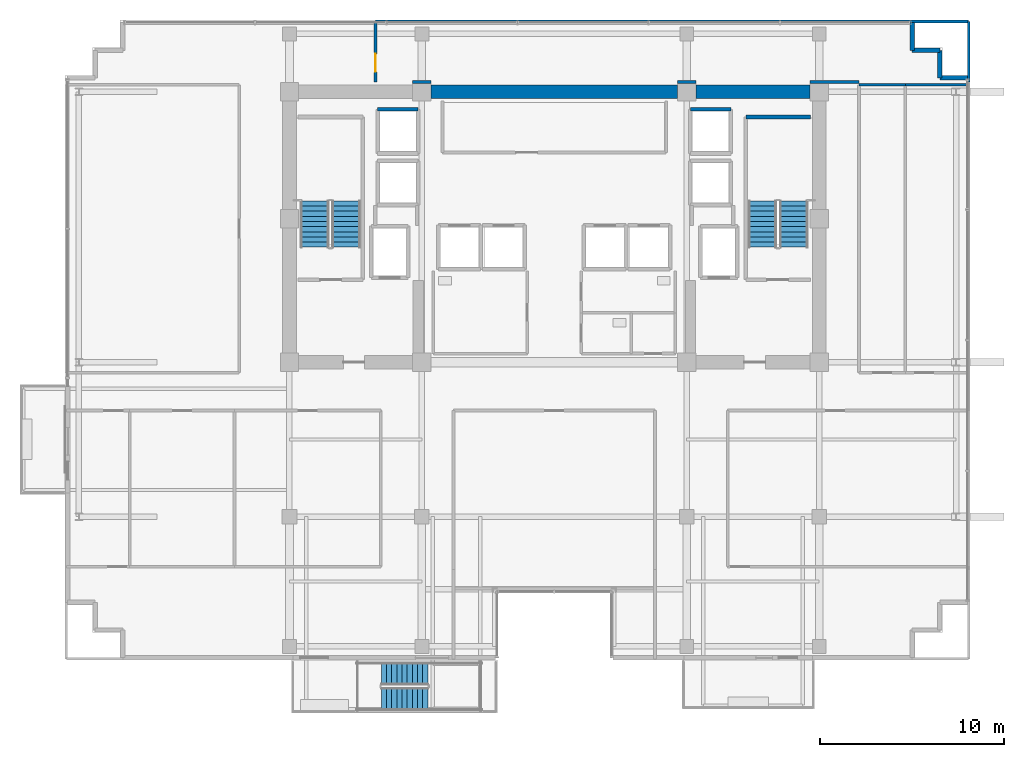
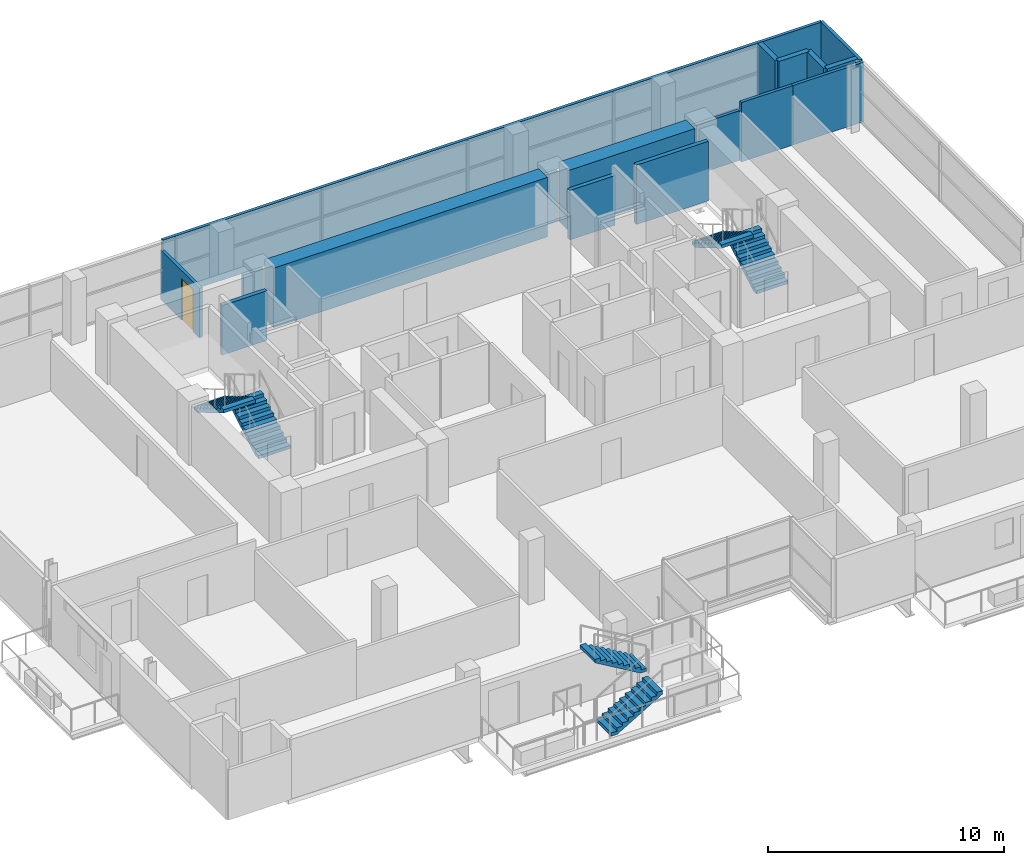
# One storey, part 19 of 23: 17 walls, 6 stair flights, 1 door, 1 opening, 3 elements without a shape of their own.
"""IFC4 building model written with IfcOpenShell, lengths in metres."""

from ifc_helpers import new_model, si_unit, direction, frame, frame_2d, origin, place, context, subcontext, project, spatial, polyline, rectangle, outline, extrude, source, transform, mapped, material, layer, layer_set, type_object, element, fill, aggregate, save


model = new_model("IFC4")

# Units and contexts
model_context = context("Model", 3, precision=1e-05, world=origin(), true_north=direction((0.0, 1.0)))
body_context = subcontext(model_context, "Body", "Model", "MODEL_VIEW")
ifc_project = project(units=[si_unit("LENGTHUNIT", "METRE"), si_unit("AREAUNIT", "SQUARE_METRE"), si_unit("VOLUMEUNIT", "CUBIC_METRE"), si_unit("PLANEANGLEUNIT", "RADIAN"), si_unit("MASSUNIT", "GRAM", prefix="KILO")], contexts=[model_context])

# Site, building, storey
site_placement = place(None, origin())
site = spatial("IfcSite", under=ifc_project, at=site_placement, CompositionType="ELEMENT")
building_placement = place(site_placement, origin())
building = spatial("IfcBuilding", under=site, at=building_placement, Name="Zarnakvel Exchange Tower", CompositionType="ELEMENT")
storey_placement = place(building_placement, frame((0.0, 0.0, 146.199951171875)))
storey = spatial("IfcBuildingStorey", under=building, at=storey_placement, Name="L40", CompositionType="ELEMENT", Elevation=146.199951171875)

# Walls
ifc_material_1 = material(Name="Concrete C60/75", Category="concrete")
ifc_layer_1 = layer(ifc_material_1, 0.75)
ifc_layer_set_1 = layer_set([ifc_layer_1], Name="Concrete C60/75")
wall_type_1 = type_object("IfcWallType", Name="CW-C3", PredefinedType="SHEAR", material=ifc_layer_set_1)
wall_1_placement = place(storey_placement, frame((-6.699951171875, 13.5, 0.0), z_axis=(0.0, 0.0, 1.0), x_axis=(1.0, 0.0, 0.0)))
element("IfcWall", 1, at=wall_1_placement, inside=storey, type_object=wall_type_1, Name="L40 Rear Core Shear Wall N2 (CW-C3)", PredefinedType="SHEAR", context=body_context, shape_type="SweptSolid", body=[
    extrude(rectangle(XDim=13.39990234375, YDim=0.75, at=frame_2d((6.699951171875, 0.0))), origin(), (0.0, 0.0, 1.0), 3.074951171875),
])
wall_2_placement = place(storey_placement, frame((7.699951171875, 13.5, 0.0), z_axis=(0.0, 0.0, 1.0), x_axis=(1.0, 0.0, 0.0)))
element("IfcWall", 2, at=wall_2_placement, inside=storey, type_object=wall_type_1, Name="L40 Rear Core Shear Wall N3 (CW-C3)", PredefinedType="SHEAR", context=body_context, shape_type="SweptSolid", body=[
    extrude(rectangle(XDim=6.199951171875, YDim=0.75, at=frame_2d((3.10009765625, 0.0))), origin(), (0.0, 0.0, 1.0), 3.074951171875),
])
ifc_material_2 = material(Name="Precast concrete C40/50", Category="concrete")
ifc_layer_2 = layer(ifc_material_2, 0.239990234375)
ifc_layer_set_2 = layer_set([ifc_layer_2], Name="Precast concrete C40/50")
wall_type_2 = type_object("IfcWallType", Name="EW-02", PredefinedType="SOLIDWALL", material=ifc_layer_set_2)
for number, where, z_axis, x_axis, name in (
    (3, (19.4599609375, 15.760009765625, 0.0), (0.0, 0.0, 1.0), (0.0, 1.0, 0.0), "L40 Exterior Precast Spandrel Wall EWC-L40-07 (EW-02)"),
    (4, (20.9599609375, 15.760009765625, 0.0), (0.0, 0.0, 1.0), (-1.0, 0.0, 0.0), "L40 Exterior Precast Spandrel Wall EWC-L40-08 (EW-02)"),
    (5, (20.9599609375, 14.260009765625, 0.0), (0.0, 0.0, 1.0), (0.0, 1.0, 0.0), "L40 Exterior Precast Spandrel Wall EWC-L40-09 (EW-02)"),
    (6, (22.4599609375, 14.260009765625, 0.0), (0.0, 0.0, 1.0), (-1.0, 0.0, 0.0), "L40 Exterior Precast Spandrel Wall EWC-L40-10 (EW-02)"),
):
    element("IfcWall", number, at=place(storey_placement, frame(where, z_axis=z_axis, x_axis=x_axis)), inside=storey, type_object=wall_type_2, Name=name, PredefinedType="SOLIDWALL", context=body_context, shape_type="SweptSolid", body=[
        extrude(rectangle(XDim=1.5, YDim=0.239990234375, at=frame_2d((0.75, 0.0))), origin(), (0.0, 0.0, 1.0), 3.074951171875),
    ])
ifc_material_3 = material(Name="Fire-Rated Gypsum Stud Partition", Category="gypsum")
ifc_layer_3 = layer(ifc_material_3, 0.14990234375)
ifc_layer_set_3 = layer_set([ifc_layer_3], Name="Fire-Rated Gypsum Stud Partition")
wall_type_3 = type_object("IfcWallType", Name="PT-01", PredefinedType="PARTITIONING", material=ifc_layer_set_3)
wall_3_placement = place(storey_placement, frame((16.56298828125, 13.8798828125, 0.0), z_axis=(0.0, 0.0, 1.0), x_axis=(1.0, 0.0, 0.0)))
element("IfcWall", 7, at=wall_3_placement, inside=storey, type_object=wall_type_3, Name="L40 Partition Wall PWALL-L40-054 (PT-01)", PredefinedType="PARTITIONING", context=body_context, shape_type="SweptSolid", body=[
    extrude(rectangle(XDim=2.52001953125, YDim=0.14990234375, at=frame_2d((1.260009765625, 0.0))), origin(), (0.0, 0.0, 1.0), 3.074951171875),
])
wall_4_placement = place(storey_placement, frame((19.0830078125, 13.8798828125, 0.0), z_axis=(0.0, 0.0, 1.0), x_axis=(1.0, 0.0, 0.0)))
element("IfcWall", 8, at=wall_4_placement, inside=storey, type_object=wall_type_3, Name="L40 Partition Wall PWALL-L40-058 (PT-01)", PredefinedType="PARTITIONING", context=body_context, shape_type="SweptSolid", body=[
    extrude(rectangle(XDim=3.447021484375, YDim=0.14990234375, at=frame_2d((1.7236328125, 0.0))), origin(), (0.0, 0.0, 1.0), 3.074951171875),
])
for number, where, z_axis, x_axis, name in (
    (9, (-6.699951171875, 14.030029296875, 0.0), (0.0, 0.0, 1.0), (-1.0, 0.0, 0.0), "L40 Partition Wall PWALL-L40-060 (PT-01)"),
    (10, (7.699951171875, 14.030029296875, 0.0), (0.0, 0.0, 1.0), (-1.0, 0.0, 0.0), "L40 Partition Wall PWALL-L40-061 (PT-01)"),
):
    element("IfcWall", number, at=place(storey_placement, frame(where, z_axis=z_axis, x_axis=x_axis)), inside=storey, type_object=wall_type_3, Name=name, PredefinedType="PARTITIONING", context=body_context, shape_type="SweptSolid", body=[
        extrude(rectangle(XDim=1.0, YDim=0.14990234375, at=frame_2d((0.5, 0.0))), origin(), (0.0, 0.0, 1.0), 2.56494140625),
    ])
wall_5_placement = place(storey_placement, frame((16.56298828125, 14.030029296875, 0.0), z_axis=(0.0, 0.0, 1.0), x_axis=(-1.0, 0.0, 0.0)))
element("IfcWall", 11, at=wall_5_placement, inside=storey, type_object=wall_type_3, Name="L40 Partition Wall PWALL-L40-062 (PT-01)", PredefinedType="PARTITIONING", context=body_context, shape_type="SweptSolid", body=[
    extrude(rectangle(XDim=2.6630859375, YDim=0.14990234375, at=frame_2d((1.33154296875, 0.0))), origin(), (0.0, 0.0, 1.0), 2.56494140625),
])
wall_6_placement = place(storey_placement, frame((-9.719970703125, 17.330078125, 0.0), z_axis=(0.0, 0.0, 1.0), x_axis=(1.0, 0.0, 0.0)))
element("IfcWall", 12, at=wall_6_placement, inside=storey, type_object=wall_type_3, Name="L40 Partition Wall PWALL-L40-063 (PT-01)", PredefinedType="PARTITIONING", context=body_context, shape_type="SweptSolid", body=[
    extrude(rectangle(XDim=32.25, YDim=0.14990234375, at=frame_2d((16.125, 0.0))), origin(), (0.0, 0.0, 1.0), 3.074951171875),
])

# Wall, opening, door
wall_7_placement = place(storey_placement, frame((-9.719970703125, 14.030029296875, 0.0), z_axis=(0.0, 0.0, 1.0), x_axis=(0.0, 1.0, 0.0)))
wall_7 = element("IfcWall", 13, at=wall_7_placement, inside=storey, type_object=wall_type_3, Name="L40 Partition Wall PWALL-L40-064 (PT-01)", PredefinedType="PARTITIONING", context=body_context, shape_type="SweptSolid", body=[
    extrude(rectangle(XDim=3.300048828125, YDim=0.14990234375, at=frame_2d((1.64990234375, 0.0))), origin(), (0.0, 0.0, 1.0), 2.56494140625),
])
opening_placement = place(wall_7_placement, frame((0.550048828125, 0.0, 0.0)))
opening = element("IfcOpeningElement", 14, at=opening_placement, cuts=wall_7, Name="Opening D-L40-20", PredefinedType="OPENING", context=body_context, shape_type="SweptSolid", body=[
    extrude(rectangle(XDim=0.97998046875, YDim=2.14990234375, at=frame_2d((0.489990234375, 1.074951171875))), frame((0.0, 0.0849609375, 0.0), z_axis=(0.0, -1.0, 0.0), x_axis=(1.0, 0.0, 0.0)), (0.0, 0.0, 1.0), 0.169921875),
])
ifc_material_4 = material(Name="Timber Acoustic Veneer", Category="wood")
door_type = type_object("IfcDoorType", Name="DT-05", OperationType="NOTDEFINED", PredefinedType="DOOR", material=ifc_material_4)
shared_shape = source(origin(), body_context, "Body", "SweptSolid", [
    extrude(rectangle(XDim=0.97998046875, YDim=2.14990234375, at=frame_2d((0.489990234375, 1.074951171875))), frame((0.0, 0.02490234375, 0.0), z_axis=(0.0, -1.0, 0.0), x_axis=(1.0, 0.0, 0.0)), (0.0, 0.0, 1.0), 0.050048828125),
])
door_placement = place(opening_placement, origin())
door = element("IfcDoor", 15, at=door_placement, inside=storey, type_object=door_type, Name="L40 Briefing Room Door D-L40-20", OperationType="SINGLE_SWING_LEFT", OverallHeight=2.14990234375, OverallWidth=0.97998046875, PredefinedType="DOOR", context=body_context, shape_type="MappedRepresentation", body=[
    mapped(shared_shape, transform((0.0, 0.0, 0.0), x_axis=(1.0, 0.0, 0.0), y_axis=(0.0, 1.0, 0.0), z_axis=(0.0, 0.0, 1.0), scale=1.0)),
])
fill(opening, door)

# Walls
wall_8_placement = place(storey_placement, frame((22.530029296875, 17.330078125, 0.0), z_axis=(0.0, 0.0, 1.0), x_axis=(0.0, -1.0, 0.0)))
element("IfcWall", 16, at=wall_8_placement, inside=storey, type_object=wall_type_3, Name="L40 Partition Wall PWALL-L40-065 (PT-01)", PredefinedType="PARTITIONING", context=body_context, shape_type="SweptSolid", body=[
    extrude(rectangle(XDim=3.300048828125, YDim=0.14990234375, at=frame_2d((1.64990234375, 0.0))), origin(), (0.0, 0.0, 1.0), 3.074951171875),
])
ifc_material_5 = material(Name="Concrete C40/50", Category="concrete")
ifc_layer_4 = layer(ifc_material_5, 0.199951171875)
ifc_layer_set_4 = layer_set([ifc_layer_4], Name="Concrete C40/50")
wall_type_4 = type_object("IfcWallType", Name="SW-01", PredefinedType="SOLIDWALL", material=ifc_layer_set_4)
for number, where, z_axis, x_axis, name in (
    (17, (-9.60009765625, 12.550048828125, 0.0), (0.0, 0.0, 1.0), (1.0, 0.0, 0.0), "L40 PL-10 Hoistway Wall North"),
    (18, (7.39990234375, 12.550048828125, 0.0), (0.0, 0.0, 1.0), (1.0, 0.0, 0.0), "L40 PL-12 Hoistway Wall North"),
):
    element("IfcWall", number, at=place(storey_placement, frame(where, z_axis=z_axis, x_axis=x_axis)), inside=storey, type_object=wall_type_4, Name=name, PredefinedType="SOLIDWALL", context=body_context, shape_type="SweptSolid", body=[
        extrude(rectangle(XDim=2.2001953125, YDim=0.199951171875, at=frame_2d((1.10009765625, 0.0))), origin(), (0.0, 0.0, 1.0), 2.56494140625),
    ])
ifc_layer_5 = layer(ifc_material_5, 0.199951171875)
ifc_layer_set_5 = layer_set([ifc_layer_5], Name="Concrete C40/50")
wall_type_5 = type_object("IfcWallType", Name="SW-02", PredefinedType="SOLIDWALL", material=ifc_layer_set_5)
wall_9_placement = place(storey_placement, frame((10.409912109375, 12.1298828125, 0.0), z_axis=(0.0, 0.0, 1.0), x_axis=(1.0, 0.0, 0.0)))
element("IfcWall", 19, at=wall_9_placement, inside=storey, type_object=wall_type_5, Name="L40 Stairwell Core Wall PWALL-L40-005 (SW-02)", PredefinedType="SOLIDWALL", context=body_context, shape_type="SweptSolid", body=[
    extrude(rectangle(XDim=3.52001953125, YDim=0.199951171875, at=frame_2d((1.760009765625, 0.0))), origin(), (0.0, 0.0, 1.0), 3.074951171875),
])

# Stair, stair flights
stair_type_1 = type_object("IfcStairType", Name="STR-01", PredefinedType="HALF_TURN_STAIR", material=ifc_material_5)
stair_1_placement = place(storey_placement, origin())
stair_1 = element("IfcStair", 20, at=stair_1_placement, inside=storey, type_object=stair_type_1, Name="L40 Protected Core Exit Stair ST-01", PredefinedType="HALF_TURN_STAIR")
stair_flight_type_1 = type_object("IfcStairFlightType", Name="FLT-01", PredefinedType="STRAIGHT", material=ifc_material_5)
stair_flight_1_placement = place(storey_placement, frame((-11.31494140625, 5.050048828125, 0.0), z_axis=(0.0, 0.0, 1.0), x_axis=(0.0, 1.0, 0.0)))
stair_flight_1 = element("IfcStairFlight", 21, at=stair_flight_1_placement, type_object=stair_flight_type_1, Name="ST-01 flight 1", NumberOfRisers=10, NumberOfTreads=9, PredefinedType="STRAIGHT", RiserHeight=0.165, TreadLength=0.28, context=body_context, shape_type="SweptSolid", body=[
    extrude(outline(polyline([(0.0, 0.0), (0.0, 0.1650390625), (0.280029296875, 0.1650390625), (0.280029296875, 0.330078125), (0.56005859375, 0.330078125), (0.56005859375, 0.4951171875), (0.840087890625, 0.4951171875), (0.840087890625, 0.659912109375), (1.1201171875, 0.659912109375), (1.1201171875, 0.824951171875), (1.39990234375, 0.824951171875), (1.39990234375, 0.989990234375), (1.679931640625, 0.989990234375), (1.679931640625, 1.155029296875), (1.9599609375, 1.155029296875), (1.9599609375, 1.320068359375), (2.239990234375, 1.320068359375), (2.239990234375, 1.485107421875), (2.52001953125, 1.485107421875), (2.52001953125, 1.64990234375), (2.52001953125, 1.31103515625), (0.295166015625, 0.0), (0.0, 0.0)])), frame((0.0, 0.77490234375, 0.0), z_axis=(0.0, -1.0, 0.0), x_axis=(1.0, 0.0, 0.0)), (0.0, 0.0, 1.0), 1.550048828125),
])
stair_flight_2_placement = place(storey_placement, frame((-13.02490234375, 7.570068359375, 1.650146484375), z_axis=(0.0, 0.0, 1.0), x_axis=(0.0, -1.0, 0.0)))
stair_flight_2 = element("IfcStairFlight", 22, at=stair_flight_2_placement, type_object=stair_flight_type_1, Name="ST-01 flight 2", NumberOfRisers=10, NumberOfTreads=9, PredefinedType="STRAIGHT", RiserHeight=0.165, TreadLength=0.28, context=body_context, shape_type="SweptSolid", body=[
    extrude(outline(polyline([(0.0, 0.0), (0.0, 0.1650390625), (0.280029296875, 0.1650390625), (0.280029296875, 0.330078125), (0.56005859375, 0.330078125), (0.56005859375, 0.4951171875), (0.840087890625, 0.4951171875), (0.840087890625, 0.659912109375), (1.1201171875, 0.659912109375), (1.1201171875, 0.824951171875), (1.39990234375, 0.824951171875), (1.39990234375, 0.989990234375), (1.679931640625, 0.989990234375), (1.679931640625, 1.155029296875), (1.9599609375, 1.155029296875), (1.9599609375, 1.320068359375), (2.239990234375, 1.320068359375), (2.239990234375, 1.485107421875), (2.52001953125, 1.485107421875), (2.52001953125, 1.64990234375), (2.52001953125, 1.31103515625), (0.295166015625, 0.0), (0.0, 0.0)])), frame((0.0, 0.77490234375, 0.0), z_axis=(0.0, -1.0, 0.0), x_axis=(1.0, 0.0, 0.0)), (0.0, 0.0, 1.0), 1.550048828125),
])
aggregate(stair_1, [stair_flight_1, stair_flight_2])

stair_2_placement = place(storey_placement, origin())
stair_2 = element("IfcStair", 23, at=stair_2_placement, inside=storey, type_object=stair_type_1, Name="L40 Protected Core Exit Stair ST-02", PredefinedType="HALF_TURN_STAIR")
stair_flight_3_placement = place(storey_placement, frame((13.02490234375, 5.050048828125, 0.0), z_axis=(0.0, 0.0, 1.0), x_axis=(0.0, 1.0, 0.0)))
stair_flight_3 = element("IfcStairFlight", 24, at=stair_flight_3_placement, type_object=stair_flight_type_1, Name="ST-02 flight 1", NumberOfRisers=10, NumberOfTreads=9, PredefinedType="STRAIGHT", RiserHeight=0.165, TreadLength=0.28, context=body_context, shape_type="SweptSolid", body=[
    extrude(outline(polyline([(0.0, 0.0), (0.0, 0.1650390625), (0.280029296875, 0.1650390625), (0.280029296875, 0.330078125), (0.56005859375, 0.330078125), (0.56005859375, 0.4951171875), (0.840087890625, 0.4951171875), (0.840087890625, 0.659912109375), (1.1201171875, 0.659912109375), (1.1201171875, 0.824951171875), (1.39990234375, 0.824951171875), (1.39990234375, 0.989990234375), (1.679931640625, 0.989990234375), (1.679931640625, 1.155029296875), (1.9599609375, 1.155029296875), (1.9599609375, 1.320068359375), (2.239990234375, 1.320068359375), (2.239990234375, 1.485107421875), (2.52001953125, 1.485107421875), (2.52001953125, 1.64990234375), (2.52001953125, 1.31103515625), (0.295166015625, 0.0), (0.0, 0.0)])), frame((0.0, 0.77490234375, 0.0), z_axis=(0.0, -1.0, 0.0), x_axis=(1.0, 0.0, 0.0)), (0.0, 0.0, 1.0), 1.550048828125),
])
stair_flight_4_placement = place(storey_placement, frame((11.31494140625, 7.570068359375, 1.650146484375), z_axis=(0.0, 0.0, 1.0), x_axis=(0.0, -1.0, 0.0)))
stair_flight_4 = element("IfcStairFlight", 25, at=stair_flight_4_placement, type_object=stair_flight_type_1, Name="ST-02 flight 2", NumberOfRisers=10, NumberOfTreads=9, PredefinedType="STRAIGHT", RiserHeight=0.165, TreadLength=0.28, context=body_context, shape_type="SweptSolid", body=[
    extrude(outline(polyline([(0.0, 0.0), (0.0, 0.1650390625), (0.280029296875, 0.1650390625), (0.280029296875, 0.330078125), (0.56005859375, 0.330078125), (0.56005859375, 0.4951171875), (0.840087890625, 0.4951171875), (0.840087890625, 0.659912109375), (1.1201171875, 0.659912109375), (1.1201171875, 0.824951171875), (1.39990234375, 0.824951171875), (1.39990234375, 0.989990234375), (1.679931640625, 0.989990234375), (1.679931640625, 1.155029296875), (1.9599609375, 1.155029296875), (1.9599609375, 1.320068359375), (2.239990234375, 1.320068359375), (2.239990234375, 1.485107421875), (2.52001953125, 1.485107421875), (2.52001953125, 1.64990234375), (2.52001953125, 1.31103515625), (0.295166015625, 0.0), (0.0, 0.0)])), frame((0.0, 0.77490234375, 0.0), z_axis=(0.0, -1.0, 0.0), x_axis=(1.0, 0.0, 0.0)), (0.0, 0.0, 1.0), 1.550048828125),
])
aggregate(stair_2, [stair_flight_3, stair_flight_4])

stair_type_2 = type_object("IfcStairType", Name="STR-05", PredefinedType="HALF_TURN_STAIR", material=ifc_material_5)
stair_3_placement = place(storey_placement, origin())
stair_3 = element("IfcStair", 26, at=stair_3_placement, inside=storey, type_object=stair_type_2, Name="L40 Spiral Sky-Terrace Connecting Stair ST-11", PredefinedType="HALF_TURN_STAIR")
stair_flight_type_2 = type_object("IfcStairFlightType", Name="FLT-05", PredefinedType="STRAIGHT", material=ifc_material_5)
stair_flight_5_placement = place(storey_placement, frame((-9.39990234375, -19.514892578125, 0.0), z_axis=(0.0, 0.0, 1.0), x_axis=(1.0, 0.0, 0.0)))
stair_flight_5 = element("IfcStairFlight", 27, at=stair_flight_5_placement, type_object=stair_flight_type_2, Name="ST-11 flight 1", NumberOfRisers=10, NumberOfTreads=9, PredefinedType="STRAIGHT", RiserHeight=0.165, TreadLength=0.28, context=body_context, shape_type="SweptSolid", body=[
    extrude(outline(polyline([(0.0, 0.0), (0.0, 0.1650390625), (0.280029296875, 0.1650390625), (0.280029296875, 0.330078125), (0.56005859375, 0.330078125), (0.56005859375, 0.4951171875), (0.840087890625, 0.4951171875), (0.840087890625, 0.659912109375), (1.1201171875, 0.659912109375), (1.1201171875, 0.824951171875), (1.39990234375, 0.824951171875), (1.39990234375, 0.989990234375), (1.679931640625, 0.989990234375), (1.679931640625, 1.155029296875), (1.9599609375, 1.155029296875), (1.9599609375, 1.320068359375), (2.239990234375, 1.320068359375), (2.239990234375, 1.485107421875), (2.52001953125, 1.485107421875), (2.52001953125, 1.64990234375), (2.52001953125, 1.31103515625), (0.295166015625, 0.0), (0.0, 0.0)])), frame((0.0, 0.625, 0.0), z_axis=(0.0, -1.0, 0.0), x_axis=(1.0, 0.0, 0.0)), (0.0, 0.0, 1.0), 1.25),
])
stair_flight_6_placement = place(storey_placement, frame((-6.8798828125, -18.14501953125, 1.650146484375), z_axis=(0.0, 0.0, 1.0), x_axis=(-1.0, 0.0, 0.0)))
stair_flight_6 = element("IfcStairFlight", 28, at=stair_flight_6_placement, type_object=stair_flight_type_2, Name="ST-11 flight 2", NumberOfRisers=10, NumberOfTreads=9, PredefinedType="STRAIGHT", RiserHeight=0.165, TreadLength=0.28, context=body_context, shape_type="SweptSolid", body=[
    extrude(outline(polyline([(0.0, 0.0), (0.0, 0.1650390625), (0.280029296875, 0.1650390625), (0.280029296875, 0.330078125), (0.56005859375, 0.330078125), (0.56005859375, 0.4951171875), (0.840087890625, 0.4951171875), (0.840087890625, 0.659912109375), (1.1201171875, 0.659912109375), (1.1201171875, 0.824951171875), (1.39990234375, 0.824951171875), (1.39990234375, 0.989990234375), (1.679931640625, 0.989990234375), (1.679931640625, 1.155029296875), (1.9599609375, 1.155029296875), (1.9599609375, 1.320068359375), (2.239990234375, 1.320068359375), (2.239990234375, 1.485107421875), (2.52001953125, 1.485107421875), (2.52001953125, 1.64990234375), (2.52001953125, 1.31103515625), (0.295166015625, 0.0), (0.0, 0.0)])), frame((0.0, 0.625, 0.0), z_axis=(0.0, -1.0, 0.0), x_axis=(1.0, 0.0, 0.0)), (0.0, 0.0, 1.0), 1.25),
])
aggregate(stair_3, [stair_flight_5, stair_flight_6])

save(model, "model.ifc")
